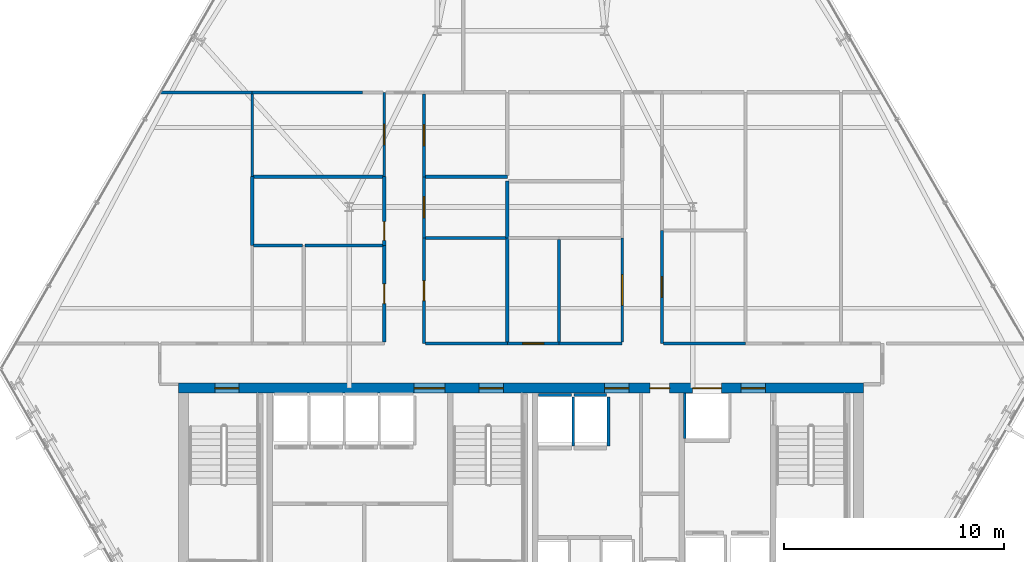
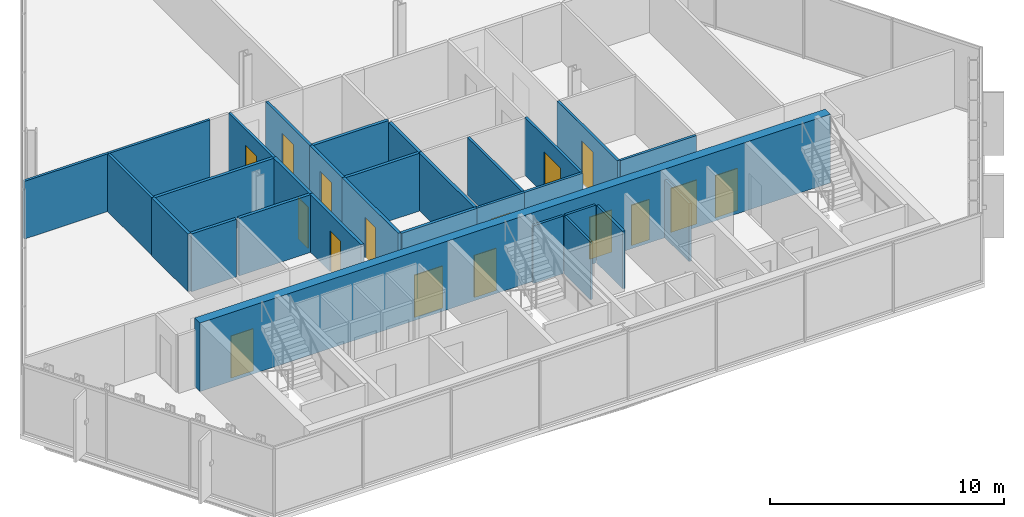
# One storey, part 26 of 32: 30 walls, 16 doors, 16 openings.
"""IFC4 building model written with IfcOpenShell, lengths in metres."""

from ifc_helpers import new_model, si_unit, direction, frame, frame_2d, origin, place, context, subcontext, project, spatial, rectangle, extrude, material, layer, layer_set, type_object, element, fill, save


model = new_model("IFC4")

# Units and contexts
model_context = context("Model", 3, precision=1e-05, world=origin(), true_north=direction((0.0, 1.0)))
body_context = subcontext(model_context, "Body", "Model", "MODEL_VIEW")
ifc_project = project(units=[si_unit("LENGTHUNIT", "METRE"), si_unit("AREAUNIT", "SQUARE_METRE"), si_unit("VOLUMEUNIT", "CUBIC_METRE"), si_unit("PLANEANGLEUNIT", "RADIAN"), si_unit("MASSUNIT", "GRAM", prefix="KILO")], contexts=[model_context])

# Site, building, storey
site_placement = place(None, origin())
site = spatial("IfcSite", under=ifc_project, at=site_placement, CompositionType="ELEMENT")
building_placement = place(site_placement, origin())
building = spatial("IfcBuilding", under=site, at=building_placement, Name="Ndaravel Arena Tower", CompositionType="ELEMENT")
storey_placement = place(building_placement, frame((0.0, 0.0, 130.800048828125)))
storey = spatial("IfcBuildingStorey", under=building, at=storey_placement, Name="L30", CompositionType="ELEMENT", Elevation=130.800048828125)

# Wall, openings, doors
ifc_material_1 = material(Name="Concrete C60/75", Category="concrete")
ifc_layer_1 = layer(ifc_material_1, 0.449951171875)
ifc_layer_set_1 = layer_set([ifc_layer_1], Name="Concrete C60/75")
wall_type_1 = type_object("IfcWallType", Name="WALL-CORE-450", PredefinedType="SOLIDWALL", material=ifc_layer_set_1)
wall_1_placement = place(storey_placement, frame((26.449951171875, 14.97509765625, 0.0), z_axis=(0.0, 0.0, 1.0), x_axis=(1.0, 0.0, 0.0)))
wall_1 = element("IfcWall", 1, at=wall_1_placement, inside=storey, type_object=wall_type_1, Name="L30 Core North Shear Wall", PredefinedType="SOLIDWALL", context=body_context, shape_type="SweptSolid", body=[
    extrude(rectangle(XDim=31.10009765625, YDim=0.449951171875, at=frame_2d((15.550048828125, 0.0))), origin(), (0.0, 0.0, 1.0), 3.579833984375),
])
opening_1_placement = place(wall_1_placement, frame((1.64990234375, 0.0, 0.0)))
opening_1 = element("IfcOpeningElement", 2, at=opening_1_placement, cuts=wall_1, Name="Opening FD-01", PredefinedType="OPENING", context=body_context, shape_type="SweptSolid", body=[
    extrude(rectangle(XDim=1.10009765625, YDim=2.199951171875, at=frame_2d((0.550048828125, 1.10009765625))), frame((0.0, 0.22509765625, 0.0), z_axis=(0.0, -1.0, 0.0), x_axis=(1.0, 0.0, 0.0)), (0.0, 0.0, 1.0), 0.449951171875),
])
opening_2_placement = place(wall_1_placement, frame((13.64990234375, 0.0, 0.0)))
opening_2 = element("IfcOpeningElement", 3, at=opening_2_placement, cuts=wall_1, Name="Opening FD-01", PredefinedType="OPENING", context=body_context, shape_type="SweptSolid", body=[
    extrude(rectangle(XDim=1.10009765625, YDim=2.199951171875, at=frame_2d((0.550048828125, 1.10009765625))), frame((0.0, 0.22509765625, 0.0), z_axis=(0.0, -1.0, 0.0), x_axis=(1.0, 0.0, 0.0)), (0.0, 0.0, 1.0), 0.449951171875),
])
opening_3_placement = place(wall_1_placement, frame((25.550048828125, 0.0, 0.0)))
opening_3 = element("IfcOpeningElement", 4, at=opening_3_placement, cuts=wall_1, Name="Opening FD-01", PredefinedType="OPENING", context=body_context, shape_type="SweptSolid", body=[
    extrude(rectangle(XDim=1.10009765625, YDim=2.199951171875, at=frame_2d((0.550048828125, 1.10009765625))), frame((0.0, 0.22509765625, 0.0), z_axis=(0.0, -1.0, 0.0), x_axis=(1.0, 0.0, 0.0)), (0.0, 0.0, 1.0), 0.449951171875),
])
opening_4_placement = place(wall_1_placement, frame((10.699951171875, 0.0, 0.0)))
opening_4 = element("IfcOpeningElement", 5, at=opening_4_placement, cuts=wall_1, Name="Opening ID-02", PredefinedType="OPENING", context=body_context, shape_type="SweptSolid", body=[
    extrude(rectangle(XDim=1.39990234375, YDim=2.199951171875, at=frame_2d((0.699951171875, 1.10009765625))), frame((0.0, 0.22509765625, 0.0), z_axis=(0.0, -1.0, 0.0), x_axis=(1.0, 0.0, 0.0)), (0.0, 0.0, 1.0), 0.449951171875),
])
opening_5_placement = place(wall_1_placement, frame((19.35009765625, 0.0, 0.0)))
opening_5 = element("IfcOpeningElement", 6, at=opening_5_placement, cuts=wall_1, Name="Opening FD-01", PredefinedType="OPENING", context=body_context, shape_type="SweptSolid", body=[
    extrude(rectangle(XDim=1.10009765625, YDim=2.199951171875, at=frame_2d((0.550048828125, 1.10009765625))), frame((0.0, 0.22509765625, 0.0), z_axis=(0.0, -1.0, 0.0), x_axis=(1.0, 0.0, 0.0)), (0.0, 0.0, 1.0), 0.449951171875),
])
opening_6_placement = place(wall_1_placement, frame((21.39990234375, 0.0, 0.0)))
opening_6 = element("IfcOpeningElement", 7, at=opening_6_placement, cuts=wall_1, Name="Opening RD-01", PredefinedType="OPENING", context=body_context, shape_type="SweptSolid", body=[
    extrude(rectangle(XDim=0.89990234375, YDim=2.10009765625, at=frame_2d((0.449951171875, 1.050048828125))), frame((0.0, 0.22509765625, 0.0), z_axis=(0.0, -1.0, 0.0), x_axis=(1.0, 0.0, 0.0)), (0.0, 0.0, 1.0), 0.449951171875),
])
opening_7_placement = place(wall_1_placement, frame((23.35009765625, 0.0, 0.0)))
opening_7 = element("IfcOpeningElement", 8, at=opening_7_placement, cuts=wall_1, Name="Opening LD-02", PredefinedType="OPENING", context=body_context, shape_type="SweptSolid", body=[
    extrude(rectangle(XDim=1.300048828125, YDim=2.300048828125, at=frame_2d((0.64990234375, 1.14990234375))), frame((0.0, 0.22509765625, 0.0), z_axis=(0.0, -1.0, 0.0), x_axis=(1.0, 0.0, 0.0)), (0.0, 0.0, 1.0), 0.449951171875),
])
ifc_material_2 = material(Name="Steel S355", Category="steel")
door_type_1 = type_object("IfcDoorType", Name="DT-01-STAIR-1100", OperationType="SINGLE_SWING_LEFT", PredefinedType="DOOR", material=ifc_material_2)
door_1_placement = place(opening_1_placement, origin())
door_1 = element("IfcDoor", 9, at=door_1_placement, inside=storey, type_object=door_type_1, Name="L30 Exit Stair ST-1 Door", OperationType="SINGLE_SWING_LEFT", OverallHeight=2.199951171875, OverallWidth=1.10009765625, PredefinedType="DOOR", context=body_context, shape_type="SweptSolid", body=[
    extrude(rectangle(XDim=1.10009765625, YDim=2.199951171875, at=frame_2d((0.550048828125, 1.10009765625))), frame((0.0, 0.02490234375, 0.0), z_axis=(0.0, -1.0, 0.0), x_axis=(1.0, 0.0, 0.0)), (0.0, 0.0, 1.0), 0.050048828125),
])
fill(opening_1, door_1)
door_2_placement = place(opening_2_placement, origin())
door_2 = element("IfcDoor", 10, at=door_2_placement, inside=storey, type_object=door_type_1, Name="L30 Exit Stair ST-2 Door", OperationType="SINGLE_SWING_RIGHT", OverallHeight=2.199951171875, OverallWidth=1.10009765625, PredefinedType="DOOR", context=body_context, shape_type="SweptSolid", body=[
    extrude(rectangle(XDim=1.10009765625, YDim=2.199951171875, at=frame_2d((0.550048828125, 1.10009765625))), frame((0.0, 0.02490234375, 0.0), z_axis=(0.0, -1.0, 0.0), x_axis=(1.0, 0.0, 0.0)), (0.0, 0.0, 1.0), 0.050048828125),
])
fill(opening_2, door_2)
door_3_placement = place(opening_3_placement, origin())
door_3 = element("IfcDoor", 11, at=door_3_placement, inside=storey, type_object=door_type_1, Name="L30 Firefighting Lift Lobby Door", OperationType="SINGLE_SWING_RIGHT", OverallHeight=2.199951171875, OverallWidth=1.10009765625, PredefinedType="DOOR", context=body_context, shape_type="SweptSolid", body=[
    extrude(rectangle(XDim=1.10009765625, YDim=2.199951171875, at=frame_2d((0.550048828125, 1.10009765625))), frame((0.0, 0.02490234375, 0.0), z_axis=(0.0, -1.0, 0.0), x_axis=(1.0, 0.0, 0.0)), (0.0, 0.0, 1.0), 0.050048828125),
])
fill(opening_3, door_3)
door_4_placement = place(opening_5_placement, origin())
door_4 = element("IfcDoor", 12, at=door_4_placement, inside=storey, type_object=door_type_1, Name="L30 Express Lift Lobby Entry Door", OperationType="SINGLE_SWING_LEFT", OverallHeight=2.199951171875, OverallWidth=1.10009765625, PredefinedType="DOOR", context=body_context, shape_type="SweptSolid", body=[
    extrude(rectangle(XDim=1.10009765625, YDim=2.199951171875, at=frame_2d((0.550048828125, 1.10009765625))), frame((0.0, 0.02490234375, 0.0), z_axis=(0.0, -1.0, 0.0), x_axis=(1.0, 0.0, 0.0)), (0.0, 0.0, 1.0), 0.050048828125),
])
fill(opening_5, door_4)
ifc_material_3 = material(Name="Timber", Category="wood")
door_type_2 = type_object("IfcDoorType", Name="DT-04-SUITE-1400", OperationType="DOUBLE_DOOR_SINGLE_SWING", PredefinedType="DOOR", material=ifc_material_3)
door_5_placement = place(opening_4_placement, origin())
door_5 = element("IfcDoor", 13, at=door_5_placement, inside=storey, type_object=door_type_2, Name="L30 West Lift Lobby Entry Door", OperationType="DOUBLE_DOOR_SINGLE_SWING", OverallHeight=2.199951171875, OverallWidth=1.39990234375, PredefinedType="DOOR", context=body_context, shape_type="SweptSolid", body=[
    extrude(rectangle(XDim=1.39990234375, YDim=2.199951171875, at=frame_2d((0.699951171875, 1.10009765625))), frame((0.0, 0.02490234375, 0.0), z_axis=(0.0, -1.0, 0.0), x_axis=(1.0, 0.0, 0.0)), (0.0, 0.0, 1.0), 0.050048828125),
])
fill(opening_4, door_5)
ifc_material_4 = material(Name="Steel S355", Category="steel")
door_type_3 = type_object("IfcDoorType", Name="DT-07-SVLIFT-1300", OperationType="DOUBLE_DOOR_SLIDING", PredefinedType="DOOR", material=ifc_material_4)
door_6_placement = place(opening_7_placement, origin())
door_6 = element("IfcDoor", 14, at=door_6_placement, inside=storey, type_object=door_type_3, Name="L30 Lift SVL-1 Sliding Landing Door", OperationType="DOUBLE_DOOR_SLIDING", OverallHeight=2.300048828125, OverallWidth=1.300048828125, PredefinedType="DOOR", context=body_context, shape_type="SweptSolid", body=[
    extrude(rectangle(XDim=1.300048828125, YDim=2.300048828125, at=frame_2d((0.64990234375, 1.14990234375))), frame((0.0, 0.02490234375, 0.0), z_axis=(0.0, -1.0, 0.0), x_axis=(1.0, 0.0, 0.0)), (0.0, 0.0, 1.0), 0.050048828125),
])
fill(opening_7, door_6)
ifc_material_5 = material(Name="Steel S355", Category="steel")
door_type_4 = type_object("IfcDoorType", Name="DT-08-RISER-900", OperationType="SINGLE_SWING_LEFT", PredefinedType="DOOR", material=ifc_material_5)
door_7_placement = place(opening_6_placement, origin())
door_7 = element("IfcDoor", 15, at=door_7_placement, inside=storey, type_object=door_type_4, Name="L30 Core Service Riser North Door", OperationType="SINGLE_SWING_LEFT", OverallHeight=2.10009765625, OverallWidth=0.89990234375, PredefinedType="DOOR", context=body_context, shape_type="SweptSolid", body=[
    extrude(rectangle(XDim=0.89990234375, YDim=2.10009765625, at=frame_2d((0.449951171875, 1.050048828125))), frame((0.0, 0.02490234375, 0.0), z_axis=(0.0, -1.0, 0.0), x_axis=(1.0, 0.0, 0.0)), (0.0, 0.0, 1.0), 0.050048828125),
])
fill(opening_6, door_7)

# Wall, opening, door
ifc_material_6 = material(Name="Gypsum", Category="gypsum")
ifc_layer_2 = layer(ifc_material_6, 0.125)
ifc_layer_set_2 = layer_set([ifc_layer_2], Name="Gypsum")
wall_type_2 = type_object("IfcWallType", Name="WALL-PART-125", PredefinedType="PARTITIONING", material=ifc_layer_set_2)
wall_2_placement = place(storey_placement, frame((35.800048828125, 24.5751953125, 0.0), z_axis=(0.0, 0.0, 1.0), x_axis=(0.0, 1.0, 0.0)))
wall_2 = element("IfcWall", 16, at=wall_2_placement, inside=storey, type_object=wall_type_2, Name="L30 Interior Partition 010", PredefinedType="PARTITIONING", context=body_context, shape_type="SweptSolid", body=[
    extrude(rectangle(XDim=3.82470703125, YDim=0.125, at=frame_2d((1.912353515625, 0.0))), origin(), (0.0, 0.0, 1.0), 3.010498046875),
])
opening_8_placement = place(wall_2_placement, frame((1.437255859375, 0.0, 0.0)))
opening_8 = element("IfcOpeningElement", 17, at=opening_8_placement, cuts=wall_2, Name="Opening ID-01", PredefinedType="OPENING", context=body_context, shape_type="SweptSolid", body=[
    extrude(rectangle(XDim=0.949951171875, YDim=2.199951171875, at=frame_2d((0.47509765625, 1.10009765625))), frame((0.0, 0.0625, 0.0), z_axis=(0.0, -1.0, 0.0), x_axis=(1.0, 0.0, 0.0)), (0.0, 0.0, 1.0), 0.125),
])
ifc_material_7 = material(Name="Timber", Category="wood")
door_type_5 = type_object("IfcDoorType", Name="DT-03-OFFICE-950", OperationType="SINGLE_SWING_LEFT", PredefinedType="DOOR", material=ifc_material_7)
door_8_placement = place(opening_8_placement, origin())
door_8 = element("IfcDoor", 18, at=door_8_placement, inside=storey, type_object=door_type_5, Name="L30 Barista Galley 7 Door", OperationType="SINGLE_SWING_RIGHT", OverallHeight=2.199951171875, OverallWidth=0.949951171875, PredefinedType="DOOR", context=body_context, shape_type="SweptSolid", body=[
    extrude(rectangle(XDim=0.949951171875, YDim=2.199951171875, at=frame_2d((0.47509765625, 1.10009765625))), frame((0.0, 0.02490234375, 0.0), z_axis=(0.0, -1.0, 0.0), x_axis=(1.0, 0.0, 0.0)), (0.0, 0.0, 1.0), 0.050048828125),
])
fill(opening_8, door_8)

wall_3_placement = place(storey_placement, frame((37.60009765625, 28.3349609375, 0.0), z_axis=(0.0, 0.0, 1.0), x_axis=(0.0, -1.0, 0.0)))
wall_3 = element("IfcWall", 19, at=wall_3_placement, inside=storey, type_object=wall_type_2, Name="L30 Interior Partition 012", PredefinedType="PARTITIONING", context=body_context, shape_type="SweptSolid", body=[
    extrude(rectangle(XDim=3.77001953125, YDim=0.125, at=frame_2d((1.885009765625, 0.0))), origin(), (0.0, 0.0, 1.0), 3.010498046875),
])
opening_9_placement = place(wall_3_placement, frame((1.409912109375, 0.0, 0.0)))
opening_9 = element("IfcOpeningElement", 20, at=opening_9_placement, cuts=wall_3, Name="Opening ID-01", PredefinedType="OPENING", context=body_context, shape_type="SweptSolid", body=[
    extrude(rectangle(XDim=0.949951171875, YDim=2.199951171875, at=frame_2d((0.47509765625, 1.10009765625))), frame((0.0, 0.0625, 0.0), z_axis=(0.0, -1.0, 0.0), x_axis=(1.0, 0.0, 0.0)), (0.0, 0.0, 1.0), 0.125),
])
door_9_placement = place(opening_9_placement, origin())
door_9 = element("IfcDoor", 21, at=door_9_placement, inside=storey, type_object=door_type_5, Name="L30 Project Seminar Room 7 Door", OperationType="SINGLE_SWING_LEFT", OverallHeight=2.199951171875, OverallWidth=0.949951171875, PredefinedType="DOOR", context=body_context, shape_type="SweptSolid", body=[
    extrude(rectangle(XDim=0.949951171875, YDim=2.199951171875, at=frame_2d((0.47509765625, 1.10009765625))), frame((0.0, 0.02490234375, 0.0), z_axis=(0.0, -1.0, 0.0), x_axis=(1.0, 0.0, 0.0)), (0.0, 0.0, 1.0), 0.050048828125),
])
fill(opening_9, door_9)

wall_4_placement = place(storey_placement, frame((41.3798828125, 17.0, 0.0), z_axis=(0.0, 0.0, 1.0), x_axis=(1.0, 0.0, 0.0)))
wall_4 = element("IfcWall", 22, at=wall_4_placement, inside=storey, type_object=wall_type_2, Name="L30 Interior Partition 016", PredefinedType="PARTITIONING", context=body_context, shape_type="SweptSolid", body=[
    extrude(rectangle(XDim=2.34912109375, YDim=0.125, at=frame_2d((1.174560546875, 0.0))), origin(), (0.0, 0.0, 1.0), 3.010498046875),
])
opening_10_placement = place(wall_4_placement, frame((0.699462890625, 0.0, 0.0)))
opening_10 = element("IfcOpeningElement", 23, at=opening_10_placement, cuts=wall_4, Name="Opening ID-01", PredefinedType="OPENING", context=body_context, shape_type="SweptSolid", body=[
    extrude(rectangle(XDim=0.949951171875, YDim=2.199951171875, at=frame_2d((0.47509765625, 1.10009765625))), frame((0.0, 0.0625, 0.0), z_axis=(0.0, -1.0, 0.0), x_axis=(1.0, 0.0, 0.0)), (0.0, 0.0, 1.0), 0.125),
])
door_10_placement = place(opening_10_placement, origin())
door_10 = element("IfcDoor", 24, at=door_10_placement, inside=storey, type_object=door_type_5, Name="L30 Open Plan Workplace Door", OperationType="SINGLE_SWING_RIGHT", OverallHeight=2.199951171875, OverallWidth=0.949951171875, PredefinedType="DOOR", context=body_context, shape_type="SweptSolid", body=[
    extrude(rectangle(XDim=0.949951171875, YDim=2.199951171875, at=frame_2d((0.47509765625, 1.10009765625))), frame((0.0, 0.02490234375, 0.0), z_axis=(0.0, -1.0, 0.0), x_axis=(1.0, 0.0, 0.0)), (0.0, 0.0, 1.0), 0.050048828125),
])
fill(opening_10, door_10)

# Wall
wall_5_placement = place(storey_placement, frame((43.72900390625, 17.0, 0.0), z_axis=(0.0, 0.0, 1.0), x_axis=(1.0, 0.0, 0.0)))
element("IfcWall", 25, at=wall_5_placement, inside=storey, type_object=wall_type_2, Name="L30 Interior Partition 017", PredefinedType="PARTITIONING", context=body_context, shape_type="SweptSolid", body=[
    extrude(rectangle(XDim=2.87109375, YDim=0.125, at=frame_2d((1.435546875, 0.0))), origin(), (0.0, 0.0, 1.0), 3.010498046875),
])

# Wall, opening, door
wall_6_placement = place(storey_placement, frame((46.60009765625, 17.06494140625, 0.0), z_axis=(0.0, 0.0, 1.0), x_axis=(0.0, 1.0, 0.0)))
wall_6 = element("IfcWall", 26, at=wall_6_placement, inside=storey, type_object=wall_type_2, Name="L30 Interior Partition 018", PredefinedType="PARTITIONING", context=body_context, shape_type="SweptSolid", body=[
    extrude(rectangle(XDim=4.72314453125, YDim=0.125, at=frame_2d((2.361572265625, 0.0))), origin(), (0.0, 0.0, 1.0), 3.010498046875),
])
opening_11_placement = place(wall_6_placement, frame((1.66162109375, 0.0, 0.0)))
opening_11 = element("IfcOpeningElement", 27, at=opening_11_placement, cuts=wall_6, Name="Opening ID-02", PredefinedType="OPENING", context=body_context, shape_type="SweptSolid", body=[
    extrude(rectangle(XDim=1.39990234375, YDim=2.199951171875, at=frame_2d((0.699951171875, 1.10009765625))), frame((0.0, 0.0625, 0.0), z_axis=(0.0, -1.0, 0.0), x_axis=(1.0, 0.0, 0.0)), (0.0, 0.0, 1.0), 0.125),
])
door_11_placement = place(opening_11_placement, origin())
door_11 = element("IfcDoor", 28, at=door_11_placement, inside=storey, type_object=door_type_2, Name="L30 Client Conference Room 2 Door", OperationType="SINGLE_SWING_LEFT", OverallHeight=2.199951171875, OverallWidth=1.39990234375, PredefinedType="DOOR", context=body_context, shape_type="SweptSolid", body=[
    extrude(rectangle(XDim=1.39990234375, YDim=2.199951171875, at=frame_2d((0.699951171875, 1.10009765625))), frame((0.0, 0.02490234375, 0.0), z_axis=(0.0, -1.0, 0.0), x_axis=(1.0, 0.0, 0.0)), (0.0, 0.0, 1.0), 0.050048828125),
])
fill(opening_11, door_11)

wall_7_placement = place(storey_placement, frame((48.39990234375, 22.1298828125, 0.0), z_axis=(0.0, 0.0, 1.0), x_axis=(0.0, -1.0, 0.0)))
wall_7 = element("IfcWall", 29, at=wall_7_placement, inside=storey, type_object=wall_type_2, Name="L30 Interior Partition 023", PredefinedType="PARTITIONING", context=body_context, shape_type="SweptSolid", body=[
    extrude(rectangle(XDim=5.1298828125, YDim=0.125, at=frame_2d((2.56494140625, 0.0))), origin(), (0.0, 0.0, 1.0), 3.010498046875),
])
opening_12_placement = place(wall_7_placement, frame((2.090087890625, 0.0, 0.0)))
opening_12 = element("IfcOpeningElement", 30, at=opening_12_placement, cuts=wall_7, Name="Opening ID-01", PredefinedType="OPENING", context=body_context, shape_type="SweptSolid", body=[
    extrude(rectangle(XDim=0.949951171875, YDim=2.199951171875, at=frame_2d((0.47509765625, 1.10009765625))), frame((0.0, 0.0625, 0.0), z_axis=(0.0, -1.0, 0.0), x_axis=(1.0, 0.0, 0.0)), (0.0, 0.0, 1.0), 0.125),
])
door_12_placement = place(opening_12_placement, origin())
door_12 = element("IfcDoor", 31, at=door_12_placement, inside=storey, type_object=door_type_5, Name="L30 Project Seminar Room 3 Door", OperationType="SINGLE_SWING_RIGHT", OverallHeight=2.199951171875, OverallWidth=0.949951171875, PredefinedType="DOOR", context=body_context, shape_type="SweptSolid", body=[
    extrude(rectangle(XDim=0.949951171875, YDim=2.199951171875, at=frame_2d((0.47509765625, 1.10009765625))), frame((0.0, 0.02490234375, 0.0), z_axis=(0.0, -1.0, 0.0), x_axis=(1.0, 0.0, 0.0)), (0.0, 0.0, 1.0), 0.050048828125),
])
fill(opening_12, door_12)

# Walls
wall_8_placement = place(storey_placement, frame((48.465087890625, 17.0, 0.0), z_axis=(0.0, 0.0, 1.0), x_axis=(1.0, 0.0, 0.0)))
element("IfcWall", 32, at=wall_8_placement, inside=storey, type_object=wall_type_2, Name="L30 Interior Partition 024", PredefinedType="PARTITIONING", context=body_context, shape_type="SweptSolid", body=[
    extrude(rectangle(XDim=3.73486328125, YDim=0.125, at=frame_2d((1.867431640625, 0.0))), origin(), (0.0, 0.0, 1.0), 3.010498046875),
])
wall_9_placement = place(storey_placement, frame((43.72900390625, 21.722900390625, 0.0), z_axis=(0.0, 0.0, 1.0), x_axis=(0.0, -1.0, 0.0)))
element("IfcWall", 33, at=wall_9_placement, inside=storey, type_object=wall_type_2, Name="L30 Interior Partition 037", PredefinedType="PARTITIONING", context=body_context, shape_type="SweptSolid", body=[
    extrude(rectangle(XDim=4.657958984375, YDim=0.125, at=frame_2d((2.3291015625, 0.0))), origin(), (0.0, 0.0, 1.0), 3.010498046875),
])
wall_10_placement = place(storey_placement, frame((25.639404296875, 28.39990234375, 0.0), z_axis=(0.0, 0.0, 1.0), x_axis=(1.0, 0.0, 0.0)))
element("IfcWall", 34, at=wall_10_placement, inside=storey, type_object=wall_type_2, Name="L30 Interior Partition 043", PredefinedType="PARTITIONING", context=body_context, shape_type="SweptSolid", body=[
    extrude(rectangle(XDim=4.16064453125, YDim=0.125, at=frame_2d((2.080322265625, 0.0))), origin(), (0.0, 0.0, 1.0), 3.010498046875),
])
wall_11_placement = place(storey_placement, frame((29.800048828125, 28.3349609375, 0.0), z_axis=(0.0, 0.0, 1.0), x_axis=(0.0, -1.0, 0.0)))
element("IfcWall", 35, at=wall_11_placement, inside=storey, type_object=wall_type_2, Name="L30 Interior Partition 044", PredefinedType="PARTITIONING", context=body_context, shape_type="SweptSolid", body=[
    extrude(rectangle(XDim=3.759765625, YDim=0.125, at=frame_2d((1.8798828125, 0.0))), origin(), (0.0, 0.0, 1.0), 3.010498046875),
])
wall_12_placement = place(storey_placement, frame((29.800048828125, 28.39990234375, 0.0), z_axis=(0.0, 0.0, 1.0), x_axis=(1.0, 0.0, 0.0)))
element("IfcWall", 36, at=wall_12_placement, inside=storey, type_object=wall_type_2, Name="L30 Interior Partition 059", PredefinedType="PARTITIONING", context=body_context, shape_type="SweptSolid", body=[
    extrude(rectangle(XDim=5.0, YDim=0.125, at=frame_2d((2.5, 0.0))), origin(), (0.0, 0.0, 1.0), 3.010498046875),
])
ifc_material_8 = material(Name="Concrete C40/50", Category="concrete")
ifc_layer_3 = layer(ifc_material_8, 0.1201171875)
ifc_layer_set_3 = layer_set([ifc_layer_3], Name="Concrete C40/50")
wall_type_3 = type_object("IfcWallType", Name="WALL-SHAFT-120", PredefinedType="SOLIDWALL", material=ifc_layer_set_3)
wall_13_placement = place(storey_placement, frame((42.804931640625, 14.659912109375, 0.0), z_axis=(0.0, 0.0, 1.0), x_axis=(1.0, 0.0, 0.0)))
element("IfcWall", 37, at=wall_13_placement, inside=storey, type_object=wall_type_3, Name="L30 PL-OBS1 Shaft Rear Wall", PredefinedType="SOLIDWALL", context=body_context, shape_type="SweptSolid", body=[
    extrude(rectangle(XDim=1.489990234375, YDim=0.1201171875, at=frame_2d((0.7451171875, 0.0))), origin(), (0.0, 0.0, 1.0), 3.010498046875),
])
wall_14_placement = place(storey_placement, frame((44.375, 12.340087890625, 0.0), z_axis=(0.0, 0.0, 1.0), x_axis=(0.0, 1.0, 0.0)))
element("IfcWall", 38, at=wall_14_placement, inside=storey, type_object=wall_type_3, Name="L30 PL-OBS1 Shaft Side R Wall", PredefinedType="SOLIDWALL", context=body_context, shape_type="SweptSolid", body=[
    extrude(rectangle(XDim=2.22998046875, YDim=0.1201171875, at=frame_2d((1.114990234375, 0.0))), origin(), (0.0, 0.0, 1.0), 3.010498046875),
])
wall_15_placement = place(storey_placement, frame((44.405029296875, 14.659912109375, 0.0), z_axis=(0.0, 0.0, 1.0), x_axis=(1.0, 0.0, 0.0)))
element("IfcWall", 39, at=wall_15_placement, inside=storey, type_object=wall_type_3, Name="L30 PL-OBS2 Shaft Rear Wall", PredefinedType="SOLIDWALL", context=body_context, shape_type="SweptSolid", body=[
    extrude(rectangle(XDim=1.489990234375, YDim=0.1201171875, at=frame_2d((0.7451171875, 0.0))), origin(), (0.0, 0.0, 1.0), 3.010498046875),
])
wall_16_placement = place(storey_placement, frame((45.97509765625, 12.340087890625, 0.0), z_axis=(0.0, 0.0, 1.0), x_axis=(0.0, 1.0, 0.0)))
element("IfcWall", 40, at=wall_16_placement, inside=storey, type_object=wall_type_3, Name="L30 PL-OBS2 Shaft Side R Wall", PredefinedType="SOLIDWALL", context=body_context, shape_type="SweptSolid", body=[
    extrude(rectangle(XDim=2.22998046875, YDim=0.1201171875, at=frame_2d((1.114990234375, 0.0))), origin(), (0.0, 0.0, 1.0), 3.010498046875),
])
wall_17_placement = place(storey_placement, frame((49.43994140625, 12.68994140625, 0.0), z_axis=(0.0, 0.0, 1.0), x_axis=(0.0, 1.0, 0.0)))
element("IfcWall", 41, at=wall_17_placement, inside=storey, type_object=wall_type_3, Name="L30 SVL-1 Shaft W Wall", PredefinedType="SOLIDWALL", context=body_context, shape_type="SweptSolid", body=[
    extrude(rectangle(XDim=2.070068359375, YDim=0.1201171875, at=frame_2d((1.03515625, 0.0))), origin(), (0.0, 0.0, 1.0), 3.010498046875),
])

# Wall, opening, door
ifc_material_9 = material(Name="Masonry", Category="masonry")
ifc_layer_4 = layer(ifc_material_9, 0.14990234375)
ifc_layer_set_4 = layer_set([ifc_layer_4], Name="Masonry")
wall_type_4 = type_object("IfcWallType", Name="WALL-WET-150", PredefinedType="PARTITIONING", material=ifc_layer_set_4)
wall_18_placement = place(storey_placement, frame((35.800048828125, 17.06494140625, 0.0), z_axis=(0.0, 0.0, 1.0), x_axis=(0.0, 1.0, 0.0)))
wall_18 = element("IfcWall", 42, at=wall_18_placement, inside=storey, type_object=wall_type_4, Name="L30 Interior Partition 008", PredefinedType="PARTITIONING", context=body_context, shape_type="SweptSolid", body=[
    extrude(rectangle(XDim=4.381103515625, YDim=0.14990234375, at=frame_2d((2.1904296875, 0.0))), origin(), (0.0, 0.0, 1.0), 3.010498046875),
])
opening_13_placement = place(wall_18_placement, frame((1.740478515625, 0.0, 0.0)))
opening_13 = element("IfcOpeningElement", 43, at=opening_13_placement, cuts=wall_18, Name="Opening WD-01", PredefinedType="OPENING", context=body_context, shape_type="SweptSolid", body=[
    extrude(rectangle(XDim=0.89990234375, YDim=2.14990234375, at=frame_2d((0.449951171875, 1.074951171875))), frame((0.0, 0.074951171875, 0.0), z_axis=(0.0, -1.0, 0.0), x_axis=(1.0, 0.0, 0.0)), (0.0, 0.0, 1.0), 0.14990234375),
])
ifc_material_10 = material(Name="Timber", Category="wood")
door_type_6 = type_object("IfcDoorType", Name="DT-05-WC-900", OperationType="SINGLE_SWING_LEFT", PredefinedType="DOOR", material=ifc_material_10)
door_13_placement = place(opening_13_placement, origin())
door_13 = element("IfcDoor", 44, at=door_13_placement, inside=storey, type_object=door_type_6, Name="L30 Male Staff & Visitor Restroom Door", OperationType="SINGLE_SWING_RIGHT", OverallHeight=2.14990234375, OverallWidth=0.89990234375, PredefinedType="DOOR", context=body_context, shape_type="SweptSolid", body=[
    extrude(rectangle(XDim=0.89990234375, YDim=2.14990234375, at=frame_2d((0.449951171875, 1.074951171875))), frame((0.0, 0.02490234375, 0.0), z_axis=(0.0, -1.0, 0.0), x_axis=(1.0, 0.0, 0.0)), (0.0, 0.0, 1.0), 0.050048828125),
])
fill(opening_13, door_13)

wall_19_placement = place(storey_placement, frame((35.800048828125, 21.446044921875, 0.0), z_axis=(0.0, 0.0, 1.0), x_axis=(0.0, 1.0, 0.0)))
wall_19 = element("IfcWall", 45, at=wall_19_placement, inside=storey, type_object=wall_type_4, Name="L30 Interior Partition 009", PredefinedType="PARTITIONING", context=body_context, shape_type="SweptSolid", body=[
    extrude(rectangle(XDim=3.129150390625, YDim=0.14990234375, at=frame_2d((1.564453125, 0.0))), origin(), (0.0, 0.0, 1.0), 3.010498046875),
])
opening_14_placement = place(wall_19_placement, frame((0.239501953125, 0.0, 0.0)))
opening_14 = element("IfcOpeningElement", 46, at=opening_14_placement, cuts=wall_19, Name="Opening ID-03", PredefinedType="OPENING", context=body_context, shape_type="SweptSolid", body=[
    extrude(rectangle(XDim=0.85009765625, YDim=2.14990234375, at=frame_2d((0.425048828125, 1.074951171875))), frame((0.0, 0.074951171875, 0.0), z_axis=(0.0, -1.0, 0.0), x_axis=(1.0, 0.0, 0.0)), (0.0, 0.0, 1.0), 0.14990234375),
])
ifc_material_11 = material(Name="Timber", Category="wood")
door_type_7 = type_object("IfcDoorType", Name="DT-12-SUB-850", OperationType="SINGLE_SWING_LEFT", PredefinedType="DOOR", material=ifc_material_11)
door_14_placement = place(opening_14_placement, origin())
door_14 = element("IfcDoor", 47, at=door_14_placement, inside=storey, type_object=door_type_7, Name="L30 Floor Servery Kitchen 4 Door", OperationType="SINGLE_SWING_LEFT", OverallHeight=2.14990234375, OverallWidth=0.85009765625, PredefinedType="DOOR", context=body_context, shape_type="SweptSolid", body=[
    extrude(rectangle(XDim=0.85009765625, YDim=2.14990234375, at=frame_2d((0.425048828125, 1.074951171875))), frame((0.0, 0.02490234375, 0.0), z_axis=(0.0, -1.0, 0.0), x_axis=(1.0, 0.0, 0.0)), (0.0, 0.0, 1.0), 0.050048828125),
])
fill(opening_14, door_14)

wall_20_placement = place(storey_placement, frame((37.60009765625, 24.56494140625, 0.0), z_axis=(0.0, 0.0, 1.0), x_axis=(0.0, -1.0, 0.0)))
wall_20 = element("IfcWall", 48, at=wall_20_placement, inside=storey, type_object=wall_type_4, Name="L30 Interior Partition 013", PredefinedType="PARTITIONING", context=body_context, shape_type="SweptSolid", body=[
    extrude(rectangle(XDim=2.77685546875, YDim=0.14990234375, at=frame_2d((1.388427734375, 0.0))), origin(), (0.0, 0.0, 1.0), 3.010498046875),
])
opening_15_placement = place(wall_20_placement, frame((0.91357421875, 0.0, 0.0)))
opening_15 = element("IfcOpeningElement", 49, at=opening_15_placement, cuts=wall_20, Name="Opening FD-03", PredefinedType="OPENING", context=body_context, shape_type="SweptSolid", body=[
    extrude(rectangle(XDim=0.949951171875, YDim=2.199951171875, at=frame_2d((0.47509765625, 1.10009765625))), frame((0.0, 0.074951171875, 0.0), z_axis=(0.0, -1.0, 0.0), x_axis=(1.0, 0.0, 0.0)), (0.0, 0.0, 1.0), 0.14990234375),
])
ifc_material_12 = material(Name="Steel S355", Category="steel")
door_type_8 = type_object("IfcDoorType", Name="DT-11-CORE-950", OperationType="SINGLE_SWING_LEFT", PredefinedType="DOOR", material=ifc_material_12)
door_15_placement = place(opening_15_placement, origin())
door_15 = element("IfcDoor", 50, at=door_15_placement, inside=storey, type_object=door_type_8, Name="L30 Staff Espresso Kitchen 5 Door", OperationType="SINGLE_SWING_RIGHT", OverallHeight=2.199951171875, OverallWidth=0.949951171875, PredefinedType="DOOR", context=body_context, shape_type="SweptSolid", body=[
    extrude(rectangle(XDim=0.949951171875, YDim=2.199951171875, at=frame_2d((0.47509765625, 1.10009765625))), frame((0.0, 0.02490234375, 0.0), z_axis=(0.0, -1.0, 0.0), x_axis=(1.0, 0.0, 0.0)), (0.0, 0.0, 1.0), 0.050048828125),
])
fill(opening_15, door_15)

wall_21_placement = place(storey_placement, frame((37.60009765625, 21.7880859375, 0.0), z_axis=(0.0, 0.0, 1.0), x_axis=(0.0, -1.0, 0.0)))
wall_21 = element("IfcWall", 51, at=wall_21_placement, inside=storey, type_object=wall_type_4, Name="L30 Interior Partition 014", PredefinedType="PARTITIONING", context=body_context, shape_type="SweptSolid", body=[
    extrude(rectangle(XDim=4.7880859375, YDim=0.14990234375, at=frame_2d((2.39404296875, 0.0))), origin(), (0.0, 0.0, 1.0), 3.010498046875),
])
opening_16_placement = place(wall_21_placement, frame((1.944091796875, 0.0, 0.0)))
opening_16 = element("IfcOpeningElement", 52, at=opening_16_placement, cuts=wall_21, Name="Opening WD-01", PredefinedType="OPENING", context=body_context, shape_type="SweptSolid", body=[
    extrude(rectangle(XDim=0.89990234375, YDim=2.14990234375, at=frame_2d((0.449951171875, 1.074951171875))), frame((0.0, 0.074951171875, 0.0), z_axis=(0.0, -1.0, 0.0), x_axis=(1.0, 0.0, 0.0)), (0.0, 0.0, 1.0), 0.14990234375),
])
door_16_placement = place(opening_16_placement, origin())
door_16 = element("IfcDoor", 53, at=door_16_placement, inside=storey, type_object=door_type_6, Name="L30 Female & Accessible Restroom Door", OperationType="SINGLE_SWING_LEFT", OverallHeight=2.14990234375, OverallWidth=0.89990234375, PredefinedType="DOOR", context=body_context, shape_type="SweptSolid", body=[
    extrude(rectangle(XDim=0.89990234375, YDim=2.14990234375, at=frame_2d((0.449951171875, 1.074951171875))), frame((0.0, 0.02490234375, 0.0), z_axis=(0.0, -1.0, 0.0), x_axis=(1.0, 0.0, 0.0)), (0.0, 0.0, 1.0), 0.050048828125),
])
fill(opening_16, door_16)

# Walls
wall_22_placement = place(storey_placement, frame((37.6650390625, 17.0, 0.0), z_axis=(0.0, 0.0, 1.0), x_axis=(1.0, 0.0, 0.0)))
element("IfcWall", 54, at=wall_22_placement, inside=storey, type_object=wall_type_4, Name="L30 Interior Partition 015", PredefinedType="PARTITIONING", context=body_context, shape_type="SweptSolid", body=[
    extrude(rectangle(XDim=3.71484375, YDim=0.14990234375, at=frame_2d((1.857421875, 0.0))), origin(), (0.0, 0.0, 1.0), 3.010498046875),
])
wall_23_placement = place(storey_placement, frame((29.864990234375, 21.446044921875, 0.0), z_axis=(0.0, 0.0, 1.0), x_axis=(1.0, 0.0, 0.0)))
element("IfcWall", 55, at=wall_23_placement, inside=storey, type_object=wall_type_4, Name="L30 Interior Partition 032", PredefinedType="PARTITIONING", context=body_context, shape_type="SweptSolid", body=[
    extrude(rectangle(XDim=2.2099609375, YDim=0.14990234375, at=frame_2d((1.10498046875, 0.0))), origin(), (0.0, 0.0, 1.0), 3.010498046875),
])
wall_24_placement = place(storey_placement, frame((32.205078125, 21.446044921875, 0.0), z_axis=(0.0, 0.0, 1.0), x_axis=(1.0, 0.0, 0.0)))
element("IfcWall", 56, at=wall_24_placement, inside=storey, type_object=wall_type_4, Name="L30 Interior Partition 033", PredefinedType="PARTITIONING", context=body_context, shape_type="SweptSolid", body=[
    extrude(rectangle(XDim=3.530029296875, YDim=0.14990234375, at=frame_2d((1.76513671875, 0.0))), origin(), (0.0, 0.0, 1.0), 3.010498046875),
])
wall_25_placement = place(storey_placement, frame((41.3798828125, 21.7880859375, 0.0), z_axis=(0.0, 0.0, 1.0), x_axis=(0.0, -1.0, 0.0)))
element("IfcWall", 57, at=wall_25_placement, inside=storey, type_object=wall_type_4, Name="L30 Interior Partition 034", PredefinedType="PARTITIONING", context=body_context, shape_type="SweptSolid", body=[
    extrude(rectangle(XDim=4.72314453125, YDim=0.14990234375, at=frame_2d((2.361572265625, 0.0))), origin(), (0.0, 0.0, 1.0), 3.010498046875),
])
wall_26_placement = place(storey_placement, frame((37.6650390625, 21.7880859375, 0.0), z_axis=(0.0, 0.0, 1.0), x_axis=(1.0, 0.0, 0.0)))
element("IfcWall", 58, at=wall_26_placement, inside=storey, type_object=wall_type_4, Name="L30 Interior Partition 035", PredefinedType="PARTITIONING", context=body_context, shape_type="SweptSolid", body=[
    extrude(rectangle(XDim=3.64990234375, YDim=0.14990234375, at=frame_2d((1.824951171875, 0.0))), origin(), (0.0, 0.0, 1.0), 3.010498046875),
])
wall_27_placement = place(storey_placement, frame((29.800048828125, 24.5751953125, 0.0), z_axis=(0.0, 0.0, 1.0), x_axis=(0.0, -1.0, 0.0)))
element("IfcWall", 59, at=wall_27_placement, inside=storey, type_object=wall_type_4, Name="L30 Interior Partition 045", PredefinedType="PARTITIONING", context=body_context, shape_type="SweptSolid", body=[
    extrude(rectangle(XDim=3.129150390625, YDim=0.14990234375, at=frame_2d((1.564453125, 0.0))), origin(), (0.0, 0.0, 1.0), 3.010498046875),
])
wall_28_placement = place(storey_placement, frame((29.864990234375, 24.5751953125, 0.0), z_axis=(0.0, 0.0, 1.0), x_axis=(1.0, 0.0, 0.0)))
element("IfcWall", 60, at=wall_28_placement, inside=storey, type_object=wall_type_4, Name="L30 Interior Partition 048", PredefinedType="PARTITIONING", context=body_context, shape_type="SweptSolid", body=[
    extrude(rectangle(XDim=5.8701171875, YDim=0.14990234375, at=frame_2d((2.93505859375, 0.0))), origin(), (0.0, 0.0, 1.0), 3.010498046875),
])
wall_29_placement = place(storey_placement, frame((41.3798828125, 21.7880859375, 0.0), z_axis=(0.0, 0.0, 1.0), x_axis=(0.0, 1.0, 0.0)))
element("IfcWall", 61, at=wall_29_placement, inside=storey, type_object=wall_type_4, Name="L30 Interior Partition 049", PredefinedType="PARTITIONING", context=body_context, shape_type="SweptSolid", body=[
    extrude(rectangle(XDim=2.57861328125, YDim=0.14990234375, at=frame_2d((1.289306640625, 0.0))), origin(), (0.0, 0.0, 1.0), 3.010498046875),
])
wall_30_placement = place(storey_placement, frame((37.6650390625, 24.56494140625, 0.0), z_axis=(0.0, 0.0, 1.0), x_axis=(1.0, 0.0, 0.0)))
element("IfcWall", 62, at=wall_30_placement, inside=storey, type_object=wall_type_4, Name="L30 Interior Partition 051", PredefinedType="PARTITIONING", context=body_context, shape_type="SweptSolid", body=[
    extrude(rectangle(XDim=3.71484375, YDim=0.14990234375, at=frame_2d((1.857421875, 0.0))), origin(), (0.0, 0.0, 1.0), 3.010498046875),
])

save(model, "model.ifc")
